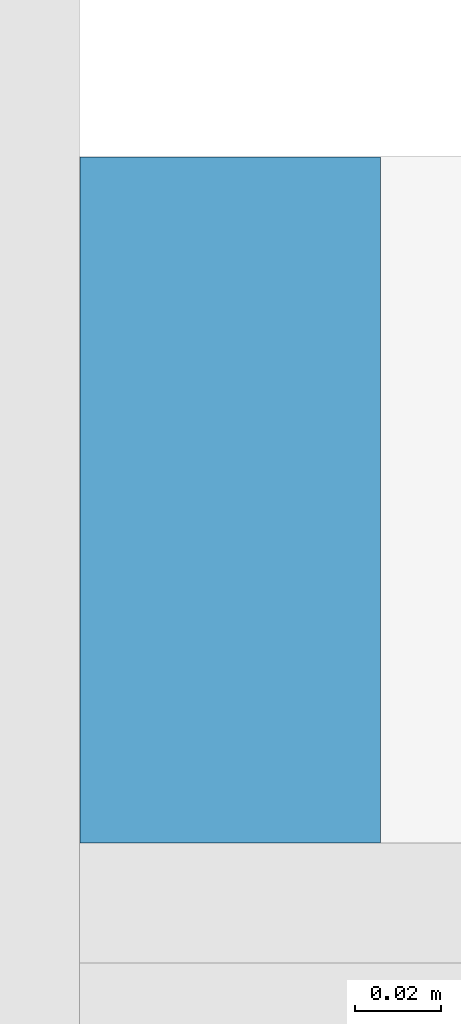
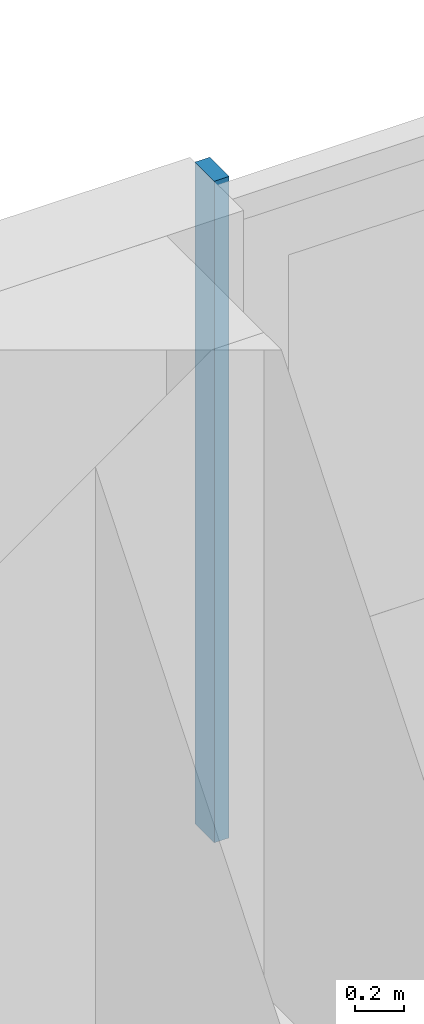
# One storey, part 10 of 30: 1 member, 1 element without a shape of its own.
"""IFC4 building model written with IfcOpenShell, lengths in metres."""

from ifc_helpers import new_model, si_unit, direction, frame, origin, origin_2d, place, context, subcontext, project, spatial, rectangle, extrude, material, material_profile, profile_set, type_object, element, aggregate, save


model = new_model("IFC4")

# Units and contexts
model_context = context("Model", 3, precision=1e-05, world=origin(), true_north=direction((0.0, 1.0)))
body_context = subcontext(model_context, "Body", "Model", "MODEL_VIEW")
ifc_project = project(units=[si_unit("LENGTHUNIT", "METRE"), si_unit("AREAUNIT", "SQUARE_METRE"), si_unit("VOLUMEUNIT", "CUBIC_METRE"), si_unit("PLANEANGLEUNIT", "RADIAN"), si_unit("MASSUNIT", "GRAM", prefix="KILO")], contexts=[model_context])

# Site, building, storey
site_placement = place(None, origin())
site = spatial("IfcSite", under=ifc_project, at=site_placement, CompositionType="ELEMENT")
building_placement = place(site_placement, origin())
building = spatial("IfcBuilding", under=site, at=building_placement, Name="Saffron Gate Tower", CompositionType="ELEMENT")
storey_placement = place(building_placement, frame((0.0, 0.0, 158.25)))
storey = spatial("IfcBuildingStorey", under=building, at=storey_placement, Name="L38", CompositionType="ELEMENT", Elevation=158.25)

# Curtain wall, member
ifc_material = material(Name="Aluminium, bronze anodised", Category="aluminium")
curtain_wall_type = type_object("IfcCurtainWallType", Name="CWS3 curtain wall rear facade", PredefinedType="NOTDEFINED", material=ifc_material)
curtain_wall_placement = place(storey_placement, origin())
curtain_wall = element("IfcCurtainWall", 1, at=curtain_wall_placement, inside=storey, type_object=curtain_wall_type, Name="CWS3 run 7", PredefinedType="NOTDEFINED")
ifc_material_profile = material_profile(ifc_material, rectangle(XDim=0.159912109375, YDim=0.070068359375, at=origin_2d()))
ifc_profile_set = profile_set([ifc_material_profile], Name="Aluminium, bronze anodised")
member_type = type_object("IfcMemberType", Name="CWS3 mullion 70x160", PredefinedType="MULLION", material=ifc_profile_set)
member_placement = place(storey_placement, frame((108.60009765625, 75.52001953125, 0.0), z_axis=(0.0, 0.0, 1.0), x_axis=(0.0, -1.0, 0.0)))
member = element("IfcMember", 2, at=member_placement, type_object=member_type, Name="CWS3 mullion 3", PredefinedType="MULLION", context=body_context, shape_type="SweptSolid", body=[
    extrude(rectangle(XDim=0.159912109375, YDim=0.070068359375, at=origin_2d()), origin(), (0.0, 0.0, 1.0), 3.320068359375),
])
aggregate(curtain_wall, [member])

save(model, "model.ifc")
